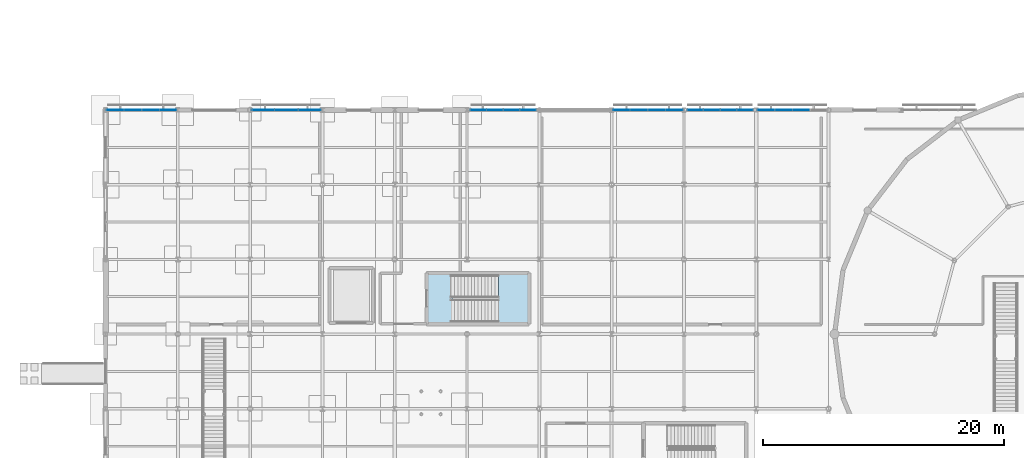
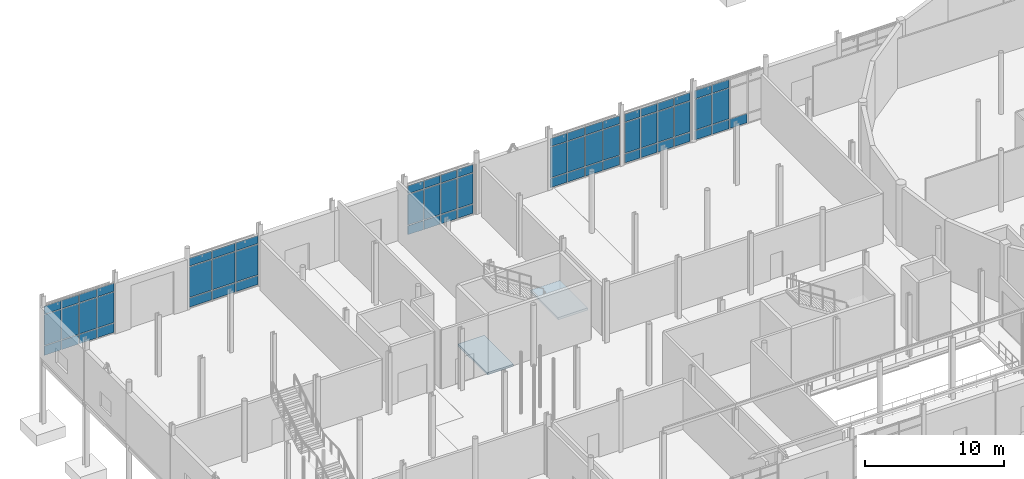
# One storey, part 62 of 98: 64 plates, 2 slabs, 7 elements without a shape of their own.
"""IFC4 building model written with IfcOpenShell, lengths in metres."""

from ifc_helpers import new_model, si_unit, direction, frame, origin, origin_2d, place, context, subcontext, project, spatial, polyline, rectangle, outline, extrude, material, layer, layer_set, type_object, element, aggregate, save


model = new_model("IFC4")

# Units and contexts
model_context = context("Model", 3, precision=1e-05, world=origin(), true_north=direction((0.0, 1.0)))
body_context = subcontext(model_context, "Body", "Model", "MODEL_VIEW")
ifc_project = project(units=[si_unit("LENGTHUNIT", "METRE"), si_unit("AREAUNIT", "SQUARE_METRE"), si_unit("VOLUMEUNIT", "CUBIC_METRE"), si_unit("PLANEANGLEUNIT", "RADIAN"), si_unit("MASSUNIT", "GRAM", prefix="KILO")], contexts=[model_context])

# Site, building, storey
site_placement = place(None, origin())
site = spatial("IfcSite", under=ifc_project, at=site_placement, CompositionType="ELEMENT")
building_placement = place(site_placement, origin())
building = spatial("IfcBuilding", under=site, at=building_placement, Name="Mirzam Square Science Centre", CompositionType="ELEMENT")
storey_placement = place(building_placement, origin())
storey = spatial("IfcBuildingStorey", under=building, at=storey_placement, Name="L00", CompositionType="ELEMENT", Elevation=0.0)

# Curtain wall, plates
ifc_material_1 = material(Name="Anodised Aluminium and Low-E Solar Glass", Category="aluminium")
ifc_layer_1 = layer(ifc_material_1, 0.159912109375)
ifc_layer_set_1 = layer_set([ifc_layer_1], Name="CW-COURT-B")
curtain_wall_type_1 = type_object("IfcCurtainWallType", Name="CW-COURT-B", PredefinedType="USERDEFINED", material=ifc_layer_set_1)
curtain_wall_1_placement = place(storey_placement, origin())
curtain_wall_1 = element("IfcCurtainWall", 1, at=curtain_wall_1_placement, inside=storey, type_object=curtain_wall_type_1, Name="L00 unitised curtain wall 1", ObjectType="UNITISED CURTAIN WALL", PredefinedType="USERDEFINED")
ifc_material_2 = material(Name="Ceramic-Fritted Courtyard Solar Glass", Category="glass")
ifc_layer_2 = layer(ifc_material_2, 0.02392578125)
ifc_layer_set_2 = layer_set([ifc_layer_2], Name="CWP-GLZ-24")
plate_type_1 = type_object("IfcPlateType", Name="CWP-GLZ-24", PredefinedType="CURTAIN_PANEL", material=ifc_layer_set_2)
plate_1_placement = place(storey_placement, frame((5.19384765625, 80.60009765625, 0.06005859375), z_axis=(0.0, 0.0, 1.0), x_axis=(-1.0, 0.0, 0.0)))
plate_1 = element("IfcPlate", 2, at=plate_1_placement, type_object=plate_type_1, Name="CW-04 panel 1.1", PredefinedType="CURTAIN_PANEL", context=body_context, shape_type="SweptSolid", body=[
    extrude(rectangle(XDim=1.382568359375, YDim=0.02392578125, at=origin_2d()), origin(), (0.0, 0.0, 1.0), 0.81005859375),
])
plate_2_placement = place(storey_placement, frame((5.19384765625, 80.60009765625, 0.93017578125), z_axis=(0.0, 0.0, 1.0), x_axis=(-1.0, 0.0, 0.0)))
plate_2 = element("IfcPlate", 3, at=plate_2_placement, type_object=plate_type_1, Name="CW-04 panel 1.2", PredefinedType="CURTAIN_PANEL", context=body_context, shape_type="SweptSolid", body=[
    extrude(rectangle(XDim=1.382568359375, YDim=0.02392578125, at=origin_2d()), origin(), (0.0, 0.0, 1.0), 2.679931640625),
])
plate_3_placement = place(storey_placement, frame((5.19384765625, 80.60009765625, 3.669921875), z_axis=(0.0, 0.0, 1.0), x_axis=(-1.0, 0.0, 0.0)))
plate_3 = element("IfcPlate", 4, at=plate_3_placement, type_object=plate_type_1, Name="CW-04 panel 1.3", PredefinedType="CURTAIN_PANEL", context=body_context, shape_type="SweptSolid", body=[
    extrude(rectangle(XDim=1.382568359375, YDim=0.02392578125, at=origin_2d()), origin(), (0.0, 0.0, 1.0), 0.7099609375),
])
plate_4_placement = place(storey_placement, frame((3.736328125, 80.60009765625, 0.06005859375), z_axis=(0.0, 0.0, 1.0), x_axis=(-1.0, 0.0, 0.0)))
plate_4 = element("IfcPlate", 5, at=plate_4_placement, type_object=plate_type_1, Name="CW-04 panel 2.1", PredefinedType="CURTAIN_PANEL", context=body_context, shape_type="SweptSolid", body=[
    extrude(rectangle(XDim=1.41259765625, YDim=0.02392578125, at=origin_2d()), origin(), (0.0, 0.0, 1.0), 0.81005859375),
])
plate_5_placement = place(storey_placement, frame((3.736328125, 80.60009765625, 0.93017578125), z_axis=(0.0, 0.0, 1.0), x_axis=(-1.0, 0.0, 0.0)))
plate_5 = element("IfcPlate", 6, at=plate_5_placement, type_object=plate_type_1, Name="CW-04 panel 2.2", PredefinedType="CURTAIN_PANEL", context=body_context, shape_type="SweptSolid", body=[
    extrude(rectangle(XDim=1.41259765625, YDim=0.02392578125, at=origin_2d()), origin(), (0.0, 0.0, 1.0), 2.679931640625),
])
plate_6_placement = place(storey_placement, frame((3.736328125, 80.60009765625, 3.669921875), z_axis=(0.0, 0.0, 1.0), x_axis=(-1.0, 0.0, 0.0)))
plate_6 = element("IfcPlate", 7, at=plate_6_placement, type_object=plate_type_1, Name="CW-04 panel 2.3", PredefinedType="CURTAIN_PANEL", context=body_context, shape_type="SweptSolid", body=[
    extrude(rectangle(XDim=1.41259765625, YDim=0.02392578125, at=origin_2d()), origin(), (0.0, 0.0, 1.0), 0.7099609375),
])
plate_7_placement = place(storey_placement, frame((2.263671875, 80.60009765625, 0.06005859375), z_axis=(0.0, 0.0, 1.0), x_axis=(-1.0, 0.0, 0.0)))
plate_7 = element("IfcPlate", 8, at=plate_7_placement, type_object=plate_type_1, Name="CW-04 panel 3.1", PredefinedType="CURTAIN_PANEL", context=body_context, shape_type="SweptSolid", body=[
    extrude(rectangle(XDim=1.41259765625, YDim=0.02392578125, at=origin_2d()), origin(), (0.0, 0.0, 1.0), 0.81005859375),
])
plate_8_placement = place(storey_placement, frame((2.263671875, 80.60009765625, 0.93017578125), z_axis=(0.0, 0.0, 1.0), x_axis=(-1.0, 0.0, 0.0)))
plate_8 = element("IfcPlate", 9, at=plate_8_placement, type_object=plate_type_1, Name="CW-04 panel 3.2", PredefinedType="CURTAIN_PANEL", context=body_context, shape_type="SweptSolid", body=[
    extrude(rectangle(XDim=1.41259765625, YDim=0.02392578125, at=origin_2d()), origin(), (0.0, 0.0, 1.0), 2.679931640625),
])
plate_9_placement = place(storey_placement, frame((2.263671875, 80.60009765625, 3.669921875), z_axis=(0.0, 0.0, 1.0), x_axis=(-1.0, 0.0, 0.0)))
plate_9 = element("IfcPlate", 10, at=plate_9_placement, type_object=plate_type_1, Name="CW-04 panel 3.3", PredefinedType="CURTAIN_PANEL", context=body_context, shape_type="SweptSolid", body=[
    extrude(rectangle(XDim=1.41259765625, YDim=0.02392578125, at=origin_2d()), origin(), (0.0, 0.0, 1.0), 0.7099609375),
])
plate_10_placement = place(storey_placement, frame((0.80615234375, 80.60009765625, 0.06005859375), z_axis=(0.0, 0.0, 1.0), x_axis=(-1.0, 0.0, 0.0)))
plate_10 = element("IfcPlate", 11, at=plate_10_placement, type_object=plate_type_1, Name="CW-04 panel 4.1", PredefinedType="CURTAIN_PANEL", context=body_context, shape_type="SweptSolid", body=[
    extrude(rectangle(XDim=1.382568359375, YDim=0.02392578125, at=origin_2d()), origin(), (0.0, 0.0, 1.0), 0.81005859375),
])
plate_11_placement = place(storey_placement, frame((0.80615234375, 80.60009765625, 0.93017578125), z_axis=(0.0, 0.0, 1.0), x_axis=(-1.0, 0.0, 0.0)))
plate_11 = element("IfcPlate", 12, at=plate_11_placement, type_object=plate_type_1, Name="CW-04 panel 4.2", PredefinedType="CURTAIN_PANEL", context=body_context, shape_type="SweptSolid", body=[
    extrude(rectangle(XDim=1.382568359375, YDim=0.02392578125, at=origin_2d()), origin(), (0.0, 0.0, 1.0), 2.679931640625),
])
plate_12_placement = place(storey_placement, frame((0.80615234375, 80.60009765625, 3.669921875), z_axis=(0.0, 0.0, 1.0), x_axis=(-1.0, 0.0, 0.0)))
plate_12 = element("IfcPlate", 13, at=plate_12_placement, type_object=plate_type_1, Name="CW-04 panel 4.3", PredefinedType="CURTAIN_PANEL", context=body_context, shape_type="SweptSolid", body=[
    extrude(rectangle(XDim=1.382568359375, YDim=0.02392578125, at=origin_2d()), origin(), (0.0, 0.0, 1.0), 0.7099609375),
])
aggregate(curtain_wall_1, [plate_1, plate_2, plate_3, plate_4, plate_5, plate_6, plate_7, plate_8, plate_9, plate_10, plate_11, plate_12])

ifc_layer_3 = layer(ifc_material_1, 0.179931640625)
ifc_layer_set_3 = layer_set([ifc_layer_3], Name="CW-PARK-A")
curtain_wall_type_2 = type_object("IfcCurtainWallType", Name="CW-PARK-A", PredefinedType="USERDEFINED", material=ifc_layer_set_3)
curtain_wall_2_placement = place(storey_placement, origin())
curtain_wall_2 = element("IfcCurtainWall", 14, at=curtain_wall_2_placement, inside=storey, type_object=curtain_wall_type_2, Name="L00 unitised curtain wall 3", ObjectType="UNITISED CURTAIN WALL", PredefinedType="USERDEFINED")
plate_13_placement = place(storey_placement, frame((35.0625, 80.60009765625, 0.074951171875), z_axis=(0.0, 0.0, 1.0), x_axis=(-1.0, 0.0, 0.0)))
plate_13 = element("IfcPlate", 15, at=plate_13_placement, type_object=plate_type_1, Name="CW-01 panel 1.1", PredefinedType="CURTAIN_PANEL", context=body_context, shape_type="SweptSolid", body=[
    extrude(rectangle(XDim=1.27490234375, YDim=0.02392578125, at=origin_2d()), origin(), (0.0, 0.0, 1.0), 0.78759765625),
])
plate_14_placement = place(storey_placement, frame((35.0625, 80.60009765625, 0.9375), z_axis=(0.0, 0.0, 1.0), x_axis=(-1.0, 0.0, 0.0)))
plate_14 = element("IfcPlate", 16, at=plate_14_placement, type_object=plate_type_1, Name="CW-01 panel 1.2", PredefinedType="CURTAIN_PANEL", context=body_context, shape_type="SweptSolid", body=[
    extrude(rectangle(XDim=1.27490234375, YDim=0.02392578125, at=origin_2d()), origin(), (0.0, 0.0, 1.0), 2.6650390625),
])
plate_15_placement = place(storey_placement, frame((35.0625, 80.60009765625, 3.677490234375), z_axis=(0.0, 0.0, 1.0), x_axis=(-1.0, 0.0, 0.0)))
plate_15 = element("IfcPlate", 17, at=plate_15_placement, type_object=plate_type_1, Name="CW-01 panel 1.3", PredefinedType="CURTAIN_PANEL", context=body_context, shape_type="SweptSolid", body=[
    extrude(rectangle(XDim=1.27490234375, YDim=0.02392578125, at=origin_2d()), origin(), (0.0, 0.0, 1.0), 0.6875),
])
plate_16_placement = place(storey_placement, frame((33.69384765625, 80.60009765625, 0.074951171875), z_axis=(0.0, 0.0, 1.0), x_axis=(-1.0, 0.0, 0.0)))
plate_16 = element("IfcPlate", 18, at=plate_16_placement, type_object=plate_type_1, Name="CW-01 panel 2.1", PredefinedType="CURTAIN_PANEL", context=body_context, shape_type="SweptSolid", body=[
    extrude(rectangle(XDim=1.3125, YDim=0.02392578125, at=origin_2d()), origin(), (0.0, 0.0, 1.0), 0.78759765625),
])
plate_17_placement = place(storey_placement, frame((33.69384765625, 80.60009765625, 0.9375), z_axis=(0.0, 0.0, 1.0), x_axis=(-1.0, 0.0, 0.0)))
plate_17 = element("IfcPlate", 19, at=plate_17_placement, type_object=plate_type_1, Name="CW-01 panel 2.2", PredefinedType="CURTAIN_PANEL", context=body_context, shape_type="SweptSolid", body=[
    extrude(rectangle(XDim=1.3125, YDim=0.02392578125, at=origin_2d()), origin(), (0.0, 0.0, 1.0), 2.6650390625),
])
plate_18_placement = place(storey_placement, frame((33.69384765625, 80.60009765625, 3.677490234375), z_axis=(0.0, 0.0, 1.0), x_axis=(-1.0, 0.0, 0.0)))
plate_18 = element("IfcPlate", 20, at=plate_18_placement, type_object=plate_type_1, Name="CW-01 panel 2.3", PredefinedType="CURTAIN_PANEL", context=body_context, shape_type="SweptSolid", body=[
    extrude(rectangle(XDim=1.3125, YDim=0.02392578125, at=origin_2d()), origin(), (0.0, 0.0, 1.0), 0.6875),
])
plate_19_placement = place(storey_placement, frame((32.30615234375, 80.60009765625, 0.074951171875), z_axis=(0.0, 0.0, 1.0), x_axis=(-1.0, 0.0, 0.0)))
plate_19 = element("IfcPlate", 21, at=plate_19_placement, type_object=plate_type_1, Name="CW-01 panel 3.1", PredefinedType="CURTAIN_PANEL", context=body_context, shape_type="SweptSolid", body=[
    extrude(rectangle(XDim=1.3125, YDim=0.02392578125, at=origin_2d()), origin(), (0.0, 0.0, 1.0), 0.78759765625),
])
plate_20_placement = place(storey_placement, frame((32.30615234375, 80.60009765625, 0.9375), z_axis=(0.0, 0.0, 1.0), x_axis=(-1.0, 0.0, 0.0)))
plate_20 = element("IfcPlate", 22, at=plate_20_placement, type_object=plate_type_1, Name="CW-01 panel 3.2", PredefinedType="CURTAIN_PANEL", context=body_context, shape_type="SweptSolid", body=[
    extrude(rectangle(XDim=1.3125, YDim=0.02392578125, at=origin_2d()), origin(), (0.0, 0.0, 1.0), 2.6650390625),
])
plate_21_placement = place(storey_placement, frame((32.30615234375, 80.60009765625, 3.677490234375), z_axis=(0.0, 0.0, 1.0), x_axis=(-1.0, 0.0, 0.0)))
plate_21 = element("IfcPlate", 23, at=plate_21_placement, type_object=plate_type_1, Name="CW-01 panel 3.3", PredefinedType="CURTAIN_PANEL", context=body_context, shape_type="SweptSolid", body=[
    extrude(rectangle(XDim=1.3125, YDim=0.02392578125, at=origin_2d()), origin(), (0.0, 0.0, 1.0), 0.6875),
])
plate_22_placement = place(storey_placement, frame((30.9375, 80.60009765625, 0.074951171875), z_axis=(0.0, 0.0, 1.0), x_axis=(-1.0, 0.0, 0.0)))
plate_22 = element("IfcPlate", 24, at=plate_22_placement, type_object=plate_type_1, Name="CW-01 panel 4.1", PredefinedType="CURTAIN_PANEL", context=body_context, shape_type="SweptSolid", body=[
    extrude(rectangle(XDim=1.27490234375, YDim=0.02392578125, at=origin_2d()), origin(), (0.0, 0.0, 1.0), 0.78759765625),
])
plate_23_placement = place(storey_placement, frame((30.9375, 80.60009765625, 0.9375), z_axis=(0.0, 0.0, 1.0), x_axis=(-1.0, 0.0, 0.0)))
plate_23 = element("IfcPlate", 25, at=plate_23_placement, type_object=plate_type_1, Name="CW-01 panel 4.2", PredefinedType="CURTAIN_PANEL", context=body_context, shape_type="SweptSolid", body=[
    extrude(rectangle(XDim=1.27490234375, YDim=0.02392578125, at=origin_2d()), origin(), (0.0, 0.0, 1.0), 2.6650390625),
])
plate_24_placement = place(storey_placement, frame((30.9375, 80.60009765625, 3.677490234375), z_axis=(0.0, 0.0, 1.0), x_axis=(-1.0, 0.0, 0.0)))
plate_24 = element("IfcPlate", 26, at=plate_24_placement, type_object=plate_type_1, Name="CW-01 panel 4.3", PredefinedType="CURTAIN_PANEL", context=body_context, shape_type="SweptSolid", body=[
    extrude(rectangle(XDim=1.27490234375, YDim=0.02392578125, at=origin_2d()), origin(), (0.0, 0.0, 1.0), 0.6875),
])
aggregate(curtain_wall_2, [plate_13, plate_14, plate_15, plate_16, plate_17, plate_18, plate_19, plate_20, plate_21, plate_22, plate_23, plate_24])

ifc_layer_4 = layer(ifc_material_1, 0.239990234375)
ifc_layer_set_4 = layer_set([ifc_layer_4], Name="CW-EAST-B")
curtain_wall_type_3 = type_object("IfcCurtainWallType", Name="CW-EAST-B", PredefinedType="USERDEFINED", material=ifc_layer_set_4)
curtain_wall_3_placement = place(storey_placement, origin())
curtain_wall_3 = element("IfcCurtainWall", 27, at=curtain_wall_3_placement, inside=storey, type_object=curtain_wall_type_3, Name="L00 unitised curtain wall 2", ObjectType="UNITISED CURTAIN WALL", PredefinedType="USERDEFINED")
ifc_material_3 = material(Name="Double-Silver Low-E Insulated Solar Glass", Category="glass")
ifc_layer_5 = layer(ifc_material_3, 0.028076171875)
ifc_layer_set_5 = layer_set([ifc_layer_5], Name="CWP-GLZ-28")
plate_type_2 = type_object("IfcPlateType", Name="CWP-GLZ-28", PredefinedType="CURTAIN_PANEL", material=ifc_layer_set_5)
plate_25_placement = place(storey_placement, frame((16.944580078125, 80.60009765625, 0.074951171875), z_axis=(0.0, 0.0, 1.0), x_axis=(-1.0, 0.0, 0.0)))
plate_25 = element("IfcPlate", 28, at=plate_25_placement, type_object=plate_type_2, Name="CW-06 panel 1.1", PredefinedType="CURTAIN_PANEL", context=body_context, shape_type="SweptSolid", body=[
    extrude(rectangle(XDim=1.850830078125, YDim=0.028076171875, at=origin_2d()), origin(), (0.0, 0.0, 1.0), 0.78759765625),
])
plate_26_placement = place(storey_placement, frame((16.944580078125, 80.60009765625, 0.9375), z_axis=(0.0, 0.0, 1.0), x_axis=(-1.0, 0.0, 0.0)))
plate_26 = element("IfcPlate", 29, at=plate_26_placement, type_object=plate_type_2, Name="CW-06 panel 1.2", PredefinedType="CURTAIN_PANEL", context=body_context, shape_type="SweptSolid", body=[
    extrude(rectangle(XDim=1.850830078125, YDim=0.028076171875, at=origin_2d()), origin(), (0.0, 0.0, 1.0), 2.6650390625),
])
plate_27_placement = place(storey_placement, frame((16.944580078125, 80.60009765625, 3.677490234375), z_axis=(0.0, 0.0, 1.0), x_axis=(-1.0, 0.0, 0.0)))
plate_27 = element("IfcPlate", 30, at=plate_27_placement, type_object=plate_type_2, Name="CW-06 panel 1.3", PredefinedType="CURTAIN_PANEL", context=body_context, shape_type="SweptSolid", body=[
    extrude(rectangle(XDim=1.850830078125, YDim=0.028076171875, at=origin_2d()), origin(), (0.0, 0.0, 1.0), 0.6875),
])
plate_28_placement = place(storey_placement, frame((15.0, 80.60009765625, 0.074951171875), z_axis=(0.0, 0.0, 1.0), x_axis=(-1.0, 0.0, 0.0)))
plate_28 = element("IfcPlate", 31, at=plate_28_placement, type_object=plate_type_2, Name="CW-06 panel 2.1", PredefinedType="CURTAIN_PANEL", context=body_context, shape_type="SweptSolid", body=[
    extrude(rectangle(XDim=1.888427734375, YDim=0.028076171875, at=origin_2d()), origin(), (0.0, 0.0, 1.0), 0.78759765625),
])
plate_29_placement = place(storey_placement, frame((15.0, 80.60009765625, 0.9375), z_axis=(0.0, 0.0, 1.0), x_axis=(-1.0, 0.0, 0.0)))
plate_29 = element("IfcPlate", 32, at=plate_29_placement, type_object=plate_type_2, Name="CW-06 panel 2.2", PredefinedType="CURTAIN_PANEL", context=body_context, shape_type="SweptSolid", body=[
    extrude(rectangle(XDim=1.888427734375, YDim=0.028076171875, at=origin_2d()), origin(), (0.0, 0.0, 1.0), 2.6650390625),
])
plate_30_placement = place(storey_placement, frame((15.0, 80.60009765625, 3.677490234375), z_axis=(0.0, 0.0, 1.0), x_axis=(-1.0, 0.0, 0.0)))
plate_30 = element("IfcPlate", 33, at=plate_30_placement, type_object=plate_type_2, Name="CW-06 panel 2.3", PredefinedType="CURTAIN_PANEL", context=body_context, shape_type="SweptSolid", body=[
    extrude(rectangle(XDim=1.888427734375, YDim=0.028076171875, at=origin_2d()), origin(), (0.0, 0.0, 1.0), 0.6875),
])
plate_31_placement = place(storey_placement, frame((13.055419921875, 80.60009765625, 0.074951171875), z_axis=(0.0, 0.0, 1.0), x_axis=(-1.0, 0.0, 0.0)))
plate_31 = element("IfcPlate", 34, at=plate_31_placement, type_object=plate_type_2, Name="CW-06 panel 3.1", PredefinedType="CURTAIN_PANEL", context=body_context, shape_type="SweptSolid", body=[
    extrude(rectangle(XDim=1.850830078125, YDim=0.028076171875, at=origin_2d()), origin(), (0.0, 0.0, 1.0), 0.78759765625),
])
plate_32_placement = place(storey_placement, frame((13.055419921875, 80.60009765625, 0.9375), z_axis=(0.0, 0.0, 1.0), x_axis=(-1.0, 0.0, 0.0)))
plate_32 = element("IfcPlate", 35, at=plate_32_placement, type_object=plate_type_2, Name="CW-06 panel 3.2", PredefinedType="CURTAIN_PANEL", context=body_context, shape_type="SweptSolid", body=[
    extrude(rectangle(XDim=1.850830078125, YDim=0.028076171875, at=origin_2d()), origin(), (0.0, 0.0, 1.0), 2.6650390625),
])
plate_33_placement = place(storey_placement, frame((13.055419921875, 80.60009765625, 3.677490234375), z_axis=(0.0, 0.0, 1.0), x_axis=(-1.0, 0.0, 0.0)))
plate_33 = element("IfcPlate", 36, at=plate_33_placement, type_object=plate_type_2, Name="CW-06 panel 3.3", PredefinedType="CURTAIN_PANEL", context=body_context, shape_type="SweptSolid", body=[
    extrude(rectangle(XDim=1.850830078125, YDim=0.028076171875, at=origin_2d()), origin(), (0.0, 0.0, 1.0), 0.6875),
])
aggregate(curtain_wall_3, [plate_25, plate_26, plate_27, plate_28, plate_29, plate_30, plate_31, plate_32, plate_33])

ifc_layer_6 = layer(ifc_material_1, 0.159912109375)
ifc_layer_set_6 = layer_set([ifc_layer_6], Name="CW-COURT-A")
curtain_wall_type_4 = type_object("IfcCurtainWallType", Name="CW-COURT-A", PredefinedType="USERDEFINED", material=ifc_layer_set_6)
curtain_wall_4_placement = place(storey_placement, origin())
curtain_wall_4 = element("IfcCurtainWall", 37, at=curtain_wall_4_placement, inside=storey, type_object=curtain_wall_type_4, Name="L00 unitised curtain wall 4", ObjectType="UNITISED CURTAIN WALL", PredefinedType="USERDEFINED")
plate_34_placement = place(storey_placement, frame((47.1923828125, 80.60009765625, 0.06494140625), z_axis=(0.0, 0.0, 1.0), x_axis=(-1.0, 0.0, 0.0)))
plate_34 = element("IfcPlate", 38, at=plate_34_placement, type_object=plate_type_2, Name="CW-03 panel 1.1", PredefinedType="CURTAIN_PANEL", context=body_context, shape_type="SweptSolid", body=[
    extrude(rectangle(XDim=1.375, YDim=0.028076171875, at=origin_2d()), origin(), (0.0, 0.0, 1.0), 0.802490234375),
])
plate_35_placement = place(storey_placement, frame((47.1923828125, 80.60009765625, 0.9326171875), z_axis=(0.0, 0.0, 1.0), x_axis=(-1.0, 0.0, 0.0)))
plate_35 = element("IfcPlate", 39, at=plate_35_placement, type_object=plate_type_2, Name="CW-03 panel 1.2", PredefinedType="CURTAIN_PANEL", context=body_context, shape_type="SweptSolid", body=[
    extrude(rectangle(XDim=1.375, YDim=0.028076171875, at=origin_2d()), origin(), (0.0, 0.0, 1.0), 2.675048828125),
])
plate_36_placement = place(storey_placement, frame((47.1923828125, 80.60009765625, 3.67236328125), z_axis=(0.0, 0.0, 1.0), x_axis=(-1.0, 0.0, 0.0)))
plate_36 = element("IfcPlate", 40, at=plate_36_placement, type_object=plate_type_2, Name="CW-03 panel 1.3", PredefinedType="CURTAIN_PANEL", context=body_context, shape_type="SweptSolid", body=[
    extrude(rectangle(XDim=1.375, YDim=0.028076171875, at=origin_2d()), origin(), (0.0, 0.0, 1.0), 0.702392578125),
])
plate_37_placement = place(storey_placement, frame((45.736328125, 80.60009765625, 0.06494140625), z_axis=(0.0, 0.0, 1.0), x_axis=(-1.0, 0.0, 0.0)))
plate_37 = element("IfcPlate", 41, at=plate_37_placement, type_object=plate_type_2, Name="CW-03 panel 2.1", PredefinedType="CURTAIN_PANEL", context=body_context, shape_type="SweptSolid", body=[
    extrude(rectangle(XDim=1.407470703125, YDim=0.028076171875, at=origin_2d()), origin(), (0.0, 0.0, 1.0), 0.802490234375),
])
plate_38_placement = place(storey_placement, frame((45.736328125, 80.60009765625, 0.9326171875), z_axis=(0.0, 0.0, 1.0), x_axis=(-1.0, 0.0, 0.0)))
plate_38 = element("IfcPlate", 42, at=plate_38_placement, type_object=plate_type_2, Name="CW-03 panel 2.2", PredefinedType="CURTAIN_PANEL", context=body_context, shape_type="SweptSolid", body=[
    extrude(rectangle(XDim=1.407470703125, YDim=0.028076171875, at=origin_2d()), origin(), (0.0, 0.0, 1.0), 2.675048828125),
])
plate_39_placement = place(storey_placement, frame((45.736328125, 80.60009765625, 3.67236328125), z_axis=(0.0, 0.0, 1.0), x_axis=(-1.0, 0.0, 0.0)))
plate_39 = element("IfcPlate", 43, at=plate_39_placement, type_object=plate_type_2, Name="CW-03 panel 2.3", PredefinedType="CURTAIN_PANEL", context=body_context, shape_type="SweptSolid", body=[
    extrude(rectangle(XDim=1.407470703125, YDim=0.028076171875, at=origin_2d()), origin(), (0.0, 0.0, 1.0), 0.702392578125),
])
plate_40_placement = place(storey_placement, frame((44.263671875, 80.60009765625, 0.06494140625), z_axis=(0.0, 0.0, 1.0), x_axis=(-1.0, 0.0, 0.0)))
plate_40 = element("IfcPlate", 44, at=plate_40_placement, type_object=plate_type_2, Name="CW-03 panel 3.1", PredefinedType="CURTAIN_PANEL", context=body_context, shape_type="SweptSolid", body=[
    extrude(rectangle(XDim=1.407470703125, YDim=0.028076171875, at=origin_2d()), origin(), (0.0, 0.0, 1.0), 0.802490234375),
])
plate_41_placement = place(storey_placement, frame((44.263671875, 80.60009765625, 0.9326171875), z_axis=(0.0, 0.0, 1.0), x_axis=(-1.0, 0.0, 0.0)))
plate_41 = element("IfcPlate", 45, at=plate_41_placement, type_object=plate_type_2, Name="CW-03 panel 3.2", PredefinedType="CURTAIN_PANEL", context=body_context, shape_type="SweptSolid", body=[
    extrude(rectangle(XDim=1.407470703125, YDim=0.028076171875, at=origin_2d()), origin(), (0.0, 0.0, 1.0), 2.675048828125),
])
plate_42_placement = place(storey_placement, frame((44.263671875, 80.60009765625, 3.67236328125), z_axis=(0.0, 0.0, 1.0), x_axis=(-1.0, 0.0, 0.0)))
plate_42 = element("IfcPlate", 46, at=plate_42_placement, type_object=plate_type_2, Name="CW-03 panel 3.3", PredefinedType="CURTAIN_PANEL", context=body_context, shape_type="SweptSolid", body=[
    extrude(rectangle(XDim=1.407470703125, YDim=0.028076171875, at=origin_2d()), origin(), (0.0, 0.0, 1.0), 0.702392578125),
])
plate_43_placement = place(storey_placement, frame((42.8076171875, 80.60009765625, 0.06494140625), z_axis=(0.0, 0.0, 1.0), x_axis=(-1.0, 0.0, 0.0)))
plate_43 = element("IfcPlate", 47, at=plate_43_placement, type_object=plate_type_2, Name="CW-03 panel 4.1", PredefinedType="CURTAIN_PANEL", context=body_context, shape_type="SweptSolid", body=[
    extrude(rectangle(XDim=1.375, YDim=0.028076171875, at=origin_2d()), origin(), (0.0, 0.0, 1.0), 0.802490234375),
])
plate_44_placement = place(storey_placement, frame((42.8076171875, 80.60009765625, 0.9326171875), z_axis=(0.0, 0.0, 1.0), x_axis=(-1.0, 0.0, 0.0)))
plate_44 = element("IfcPlate", 48, at=plate_44_placement, type_object=plate_type_2, Name="CW-03 panel 4.2", PredefinedType="CURTAIN_PANEL", context=body_context, shape_type="SweptSolid", body=[
    extrude(rectangle(XDim=1.375, YDim=0.028076171875, at=origin_2d()), origin(), (0.0, 0.0, 1.0), 2.675048828125),
])
plate_45_placement = place(storey_placement, frame((42.8076171875, 80.60009765625, 3.67236328125), z_axis=(0.0, 0.0, 1.0), x_axis=(-1.0, 0.0, 0.0)))
plate_45 = element("IfcPlate", 49, at=plate_45_placement, type_object=plate_type_2, Name="CW-03 panel 4.3", PredefinedType="CURTAIN_PANEL", context=body_context, shape_type="SweptSolid", body=[
    extrude(rectangle(XDim=1.375, YDim=0.028076171875, at=origin_2d()), origin(), (0.0, 0.0, 1.0), 0.702392578125),
])
aggregate(curtain_wall_4, [plate_34, plate_35, plate_36, plate_37, plate_38, plate_39, plate_40, plate_41, plate_42, plate_43, plate_44, plate_45])

curtain_wall_5_placement = place(storey_placement, origin())
curtain_wall_5 = element("IfcCurtainWall", 50, at=curtain_wall_5_placement, inside=storey, type_object=curtain_wall_type_1, Name="L00 unitised curtain wall 5", ObjectType="UNITISED CURTAIN WALL", PredefinedType="USERDEFINED")
ifc_material_4 = material(Name="Triple-Glazed Acoustic Low-E Solar Glass", Category="glass")
ifc_layer_7 = layer(ifc_material_4, 0.031982421875)
ifc_layer_set_7 = layer_set([ifc_layer_7], Name="CWP-GLZ-32")
plate_type_3 = type_object("IfcPlateType", Name="CWP-GLZ-32", PredefinedType="CURTAIN_PANEL", material=ifc_layer_set_7)
plate_46_placement = place(storey_placement, frame((53.0625, 80.60009765625, 0.074951171875), z_axis=(0.0, 0.0, 1.0), x_axis=(-1.0, 0.0, 0.0)))
plate_46 = element("IfcPlate", 51, at=plate_46_placement, type_object=plate_type_3, Name="CW-04 panel 1.1", PredefinedType="CURTAIN_PANEL", context=body_context, shape_type="SweptSolid", body=[
    extrude(rectangle(XDim=1.27490234375, YDim=0.031982421875, at=origin_2d()), origin(), (0.0, 0.0, 1.0), 0.78759765625),
])
plate_47_placement = place(storey_placement, frame((53.0625, 80.60009765625, 0.9375), z_axis=(0.0, 0.0, 1.0), x_axis=(-1.0, 0.0, 0.0)))
plate_47 = element("IfcPlate", 52, at=plate_47_placement, type_object=plate_type_3, Name="CW-04 panel 1.2", PredefinedType="CURTAIN_PANEL", context=body_context, shape_type="SweptSolid", body=[
    extrude(rectangle(XDim=1.27490234375, YDim=0.031982421875, at=origin_2d()), origin(), (0.0, 0.0, 1.0), 2.6650390625),
])
plate_48_placement = place(storey_placement, frame((53.0625, 80.60009765625, 3.677490234375), z_axis=(0.0, 0.0, 1.0), x_axis=(-1.0, 0.0, 0.0)))
plate_48 = element("IfcPlate", 53, at=plate_48_placement, type_object=plate_type_3, Name="CW-04 panel 1.3", PredefinedType="CURTAIN_PANEL", context=body_context, shape_type="SweptSolid", body=[
    extrude(rectangle(XDim=1.27490234375, YDim=0.031982421875, at=origin_2d()), origin(), (0.0, 0.0, 1.0), 0.6875),
])
plate_49_placement = place(storey_placement, frame((51.69384765625, 80.60009765625, 0.074951171875), z_axis=(0.0, 0.0, 1.0), x_axis=(-1.0, 0.0, 0.0)))
plate_49 = element("IfcPlate", 54, at=plate_49_placement, type_object=plate_type_3, Name="CW-04 panel 2.1", PredefinedType="CURTAIN_PANEL", context=body_context, shape_type="SweptSolid", body=[
    extrude(rectangle(XDim=1.3125, YDim=0.031982421875, at=origin_2d()), origin(), (0.0, 0.0, 1.0), 0.78759765625),
])
plate_50_placement = place(storey_placement, frame((51.69384765625, 80.60009765625, 0.9375), z_axis=(0.0, 0.0, 1.0), x_axis=(-1.0, 0.0, 0.0)))
plate_50 = element("IfcPlate", 55, at=plate_50_placement, type_object=plate_type_3, Name="CW-04 panel 2.2", PredefinedType="CURTAIN_PANEL", context=body_context, shape_type="SweptSolid", body=[
    extrude(rectangle(XDim=1.3125, YDim=0.031982421875, at=origin_2d()), origin(), (0.0, 0.0, 1.0), 2.6650390625),
])
plate_51_placement = place(storey_placement, frame((51.69384765625, 80.60009765625, 3.677490234375), z_axis=(0.0, 0.0, 1.0), x_axis=(-1.0, 0.0, 0.0)))
plate_51 = element("IfcPlate", 56, at=plate_51_placement, type_object=plate_type_3, Name="CW-04 panel 2.3", PredefinedType="CURTAIN_PANEL", context=body_context, shape_type="SweptSolid", body=[
    extrude(rectangle(XDim=1.3125, YDim=0.031982421875, at=origin_2d()), origin(), (0.0, 0.0, 1.0), 0.6875),
])
plate_52_placement = place(storey_placement, frame((50.30615234375, 80.60009765625, 0.074951171875), z_axis=(0.0, 0.0, 1.0), x_axis=(-1.0, 0.0, 0.0)))
plate_52 = element("IfcPlate", 57, at=plate_52_placement, type_object=plate_type_3, Name="CW-04 panel 3.1", PredefinedType="CURTAIN_PANEL", context=body_context, shape_type="SweptSolid", body=[
    extrude(rectangle(XDim=1.3125, YDim=0.031982421875, at=origin_2d()), origin(), (0.0, 0.0, 1.0), 0.78759765625),
])
plate_53_placement = place(storey_placement, frame((50.30615234375, 80.60009765625, 0.9375), z_axis=(0.0, 0.0, 1.0), x_axis=(-1.0, 0.0, 0.0)))
plate_53 = element("IfcPlate", 58, at=plate_53_placement, type_object=plate_type_3, Name="CW-04 panel 3.2", PredefinedType="CURTAIN_PANEL", context=body_context, shape_type="SweptSolid", body=[
    extrude(rectangle(XDim=1.3125, YDim=0.031982421875, at=origin_2d()), origin(), (0.0, 0.0, 1.0), 2.6650390625),
])
plate_54_placement = place(storey_placement, frame((50.30615234375, 80.60009765625, 3.677490234375), z_axis=(0.0, 0.0, 1.0), x_axis=(-1.0, 0.0, 0.0)))
plate_54 = element("IfcPlate", 59, at=plate_54_placement, type_object=plate_type_3, Name="CW-04 panel 3.3", PredefinedType="CURTAIN_PANEL", context=body_context, shape_type="SweptSolid", body=[
    extrude(rectangle(XDim=1.3125, YDim=0.031982421875, at=origin_2d()), origin(), (0.0, 0.0, 1.0), 0.6875),
])
plate_55_placement = place(storey_placement, frame((48.9375, 80.60009765625, 0.074951171875), z_axis=(0.0, 0.0, 1.0), x_axis=(-1.0, 0.0, 0.0)))
plate_55 = element("IfcPlate", 60, at=plate_55_placement, type_object=plate_type_3, Name="CW-04 panel 4.1", PredefinedType="CURTAIN_PANEL", context=body_context, shape_type="SweptSolid", body=[
    extrude(rectangle(XDim=1.27490234375, YDim=0.031982421875, at=origin_2d()), origin(), (0.0, 0.0, 1.0), 0.78759765625),
])
plate_56_placement = place(storey_placement, frame((48.9375, 80.60009765625, 0.9375), z_axis=(0.0, 0.0, 1.0), x_axis=(-1.0, 0.0, 0.0)))
plate_56 = element("IfcPlate", 61, at=plate_56_placement, type_object=plate_type_3, Name="CW-04 panel 4.2", PredefinedType="CURTAIN_PANEL", context=body_context, shape_type="SweptSolid", body=[
    extrude(rectangle(XDim=1.27490234375, YDim=0.031982421875, at=origin_2d()), origin(), (0.0, 0.0, 1.0), 2.6650390625),
])
plate_57_placement = place(storey_placement, frame((48.9375, 80.60009765625, 3.677490234375), z_axis=(0.0, 0.0, 1.0), x_axis=(-1.0, 0.0, 0.0)))
plate_57 = element("IfcPlate", 62, at=plate_57_placement, type_object=plate_type_3, Name="CW-04 panel 4.3", PredefinedType="CURTAIN_PANEL", context=body_context, shape_type="SweptSolid", body=[
    extrude(rectangle(XDim=1.27490234375, YDim=0.031982421875, at=origin_2d()), origin(), (0.0, 0.0, 1.0), 0.6875),
])
aggregate(curtain_wall_5, [plate_46, plate_47, plate_48, plate_49, plate_50, plate_51, plate_52, plate_53, plate_54, plate_55, plate_56, plate_57])

ifc_layer_8 = layer(ifc_material_1, 0.199951171875)
ifc_layer_set_8 = layer_set([ifc_layer_8], Name="CW-EAST-A")
curtain_wall_type_5 = type_object("IfcCurtainWallType", Name="CW-EAST-A", PredefinedType="USERDEFINED", material=ifc_layer_set_8)
curtain_wall_6_placement = place(storey_placement, origin())
curtain_wall_6 = element("IfcCurtainWall", 63, at=curtain_wall_6_placement, inside=storey, type_object=curtain_wall_type_5, Name="L00 unitised curtain wall 6", ObjectType="UNITISED CURTAIN WALL", PredefinedType="USERDEFINED")
ifc_material_5 = material(Name="Laminated Low-Iron Observatory Solar Glass", Category="glass")
ifc_layer_9 = layer(ifc_material_5, 0.035888671875)
ifc_layer_set_9 = layer_set([ifc_layer_9], Name="CWP-GLZ-36")
plate_type_4 = type_object("IfcPlateType", Name="CWP-GLZ-36", PredefinedType="CURTAIN_PANEL", material=ifc_layer_set_9)
plate_58_placement = place(storey_placement, frame((57.736328125, 80.60009765625, 0.06005859375), z_axis=(0.0, 0.0, 1.0), x_axis=(-1.0, 0.0, 0.0)))
plate_58 = element("IfcPlate", 64, at=plate_58_placement, type_object=plate_type_4, Name="CW-05 panel 2.1", PredefinedType="CURTAIN_PANEL", context=body_context, shape_type="SweptSolid", body=[
    extrude(rectangle(XDim=1.41259765625, YDim=0.035888671875, at=origin_2d()), origin(), (0.0, 0.0, 1.0), 0.81005859375),
])
plate_59_placement = place(storey_placement, frame((56.263671875, 80.60009765625, 0.06005859375), z_axis=(0.0, 0.0, 1.0), x_axis=(-1.0, 0.0, 0.0)))
plate_59 = element("IfcPlate", 65, at=plate_59_placement, type_object=plate_type_4, Name="CW-05 panel 3.1", PredefinedType="CURTAIN_PANEL", context=body_context, shape_type="SweptSolid", body=[
    extrude(rectangle(XDim=1.41259765625, YDim=0.035888671875, at=origin_2d()), origin(), (0.0, 0.0, 1.0), 0.81005859375),
])
plate_60_placement = place(storey_placement, frame((56.263671875, 80.60009765625, 0.93017578125), z_axis=(0.0, 0.0, 1.0), x_axis=(-1.0, 0.0, 0.0)))
plate_60 = element("IfcPlate", 66, at=plate_60_placement, type_object=plate_type_4, Name="CW-05 panel 3.2", PredefinedType="CURTAIN_PANEL", context=body_context, shape_type="SweptSolid", body=[
    extrude(rectangle(XDim=1.41259765625, YDim=0.035888671875, at=origin_2d()), origin(), (0.0, 0.0, 1.0), 2.679931640625),
])
plate_61_placement = place(storey_placement, frame((56.263671875, 80.60009765625, 3.669921875), z_axis=(0.0, 0.0, 1.0), x_axis=(-1.0, 0.0, 0.0)))
plate_61 = element("IfcPlate", 67, at=plate_61_placement, type_object=plate_type_4, Name="CW-05 panel 3.3", PredefinedType="CURTAIN_PANEL", context=body_context, shape_type="SweptSolid", body=[
    extrude(rectangle(XDim=1.41259765625, YDim=0.035888671875, at=origin_2d()), origin(), (0.0, 0.0, 1.0), 0.7099609375),
])
plate_62_placement = place(storey_placement, frame((54.80615234375, 80.60009765625, 0.06005859375), z_axis=(0.0, 0.0, 1.0), x_axis=(-1.0, 0.0, 0.0)))
plate_62 = element("IfcPlate", 68, at=plate_62_placement, type_object=plate_type_4, Name="CW-05 panel 4.1", PredefinedType="CURTAIN_PANEL", context=body_context, shape_type="SweptSolid", body=[
    extrude(rectangle(XDim=1.382568359375, YDim=0.035888671875, at=origin_2d()), origin(), (0.0, 0.0, 1.0), 0.81005859375),
])
plate_63_placement = place(storey_placement, frame((54.80615234375, 80.60009765625, 0.93017578125), z_axis=(0.0, 0.0, 1.0), x_axis=(-1.0, 0.0, 0.0)))
plate_63 = element("IfcPlate", 69, at=plate_63_placement, type_object=plate_type_4, Name="CW-05 panel 4.2", PredefinedType="CURTAIN_PANEL", context=body_context, shape_type="SweptSolid", body=[
    extrude(rectangle(XDim=1.382568359375, YDim=0.035888671875, at=origin_2d()), origin(), (0.0, 0.0, 1.0), 2.679931640625),
])
plate_64_placement = place(storey_placement, frame((54.80615234375, 80.60009765625, 3.669921875), z_axis=(0.0, 0.0, 1.0), x_axis=(-1.0, 0.0, 0.0)))
plate_64 = element("IfcPlate", 70, at=plate_64_placement, type_object=plate_type_4, Name="CW-05 panel 4.3", PredefinedType="CURTAIN_PANEL", context=body_context, shape_type="SweptSolid", body=[
    extrude(rectangle(XDim=1.382568359375, YDim=0.035888671875, at=origin_2d()), origin(), (0.0, 0.0, 1.0), 0.7099609375),
])
aggregate(curtain_wall_6, [plate_58, plate_59, plate_60, plate_61, plate_62, plate_63, plate_64])

# Stair, slab
ifc_material_6 = material(Name="Concrete C40/50", Category="concrete")
stair_type = type_object("IfcStairType", Name="ST-CORE-2-540", PredefinedType="HALF_TURN_STAIR", material=ifc_material_6)
stair_placement = place(storey_placement, origin())
stair = element("IfcStair", 71, at=stair_placement, inside=storey, type_object=stair_type, Name="L00 ST-02", PredefinedType="HALF_TURN_STAIR")
ifc_layer_10 = layer(ifc_material_6, 0.199951171875)
ifc_layer_set_10 = layer_set([ifc_layer_10], Name="SL-LANDING-200")
slab_type = type_object("IfcSlabType", Name="SL-LANDING-200", PredefinedType="LANDING", material=ifc_layer_set_10)
slab_1_placement = place(storey_placement, frame((0.0, 0.0, 2.5)))
slab_1 = element("IfcSlab", 72, at=slab_1_placement, type_object=slab_type, Name="ST-02 landing 1", PredefinedType="LANDING", context=body_context, shape_type="SweptSolid", body=[
    extrude(outline(polyline([(32.590087890625, 62.949951171875), (35.050048828125, 62.949951171875), (35.050048828125, 66.93994140625), (32.590087890625, 66.93994140625), (32.590087890625, 62.949951171875)])), origin(), (0.0, 0.0, 1.0), 0.199951171875),
])
aggregate(stair, [slab_1])

# Slab
slab_2_placement = place(storey_placement, frame((0.0, 0.0, -0.199951171875)))
element("IfcSlab", 73, at=slab_2_placement, inside=storey, type_object=slab_type, Name="L00 CORE-2 floor landing", PredefinedType="LANDING", context=body_context, shape_type="SweptSolid", body=[
    extrude(outline(polyline([(28.820068359375, 62.844970703125), (26.64501953125, 62.844970703125), (26.64501953125, 67.044921875), (28.820068359375, 67.044921875), (28.820068359375, 62.844970703125)])), origin(), (0.0, 0.0, 1.0), 0.199951171875),
])

save(model, "model.ifc")
